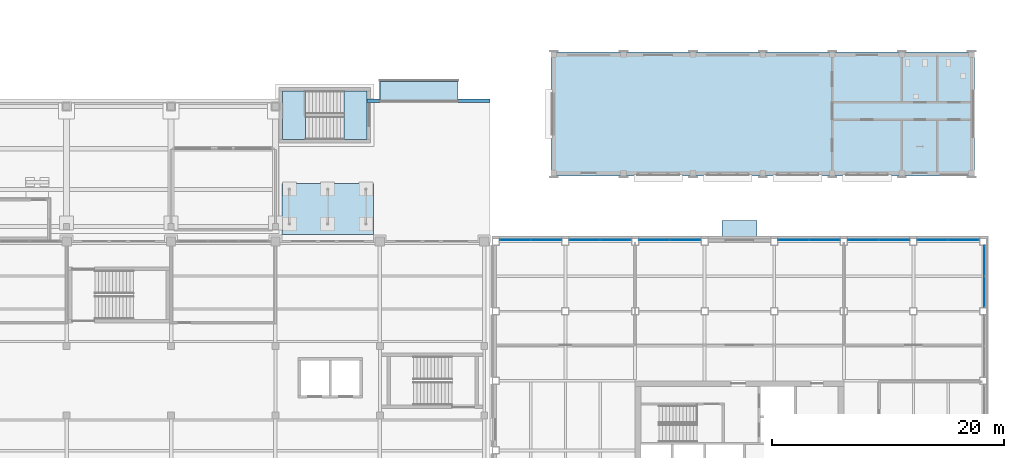
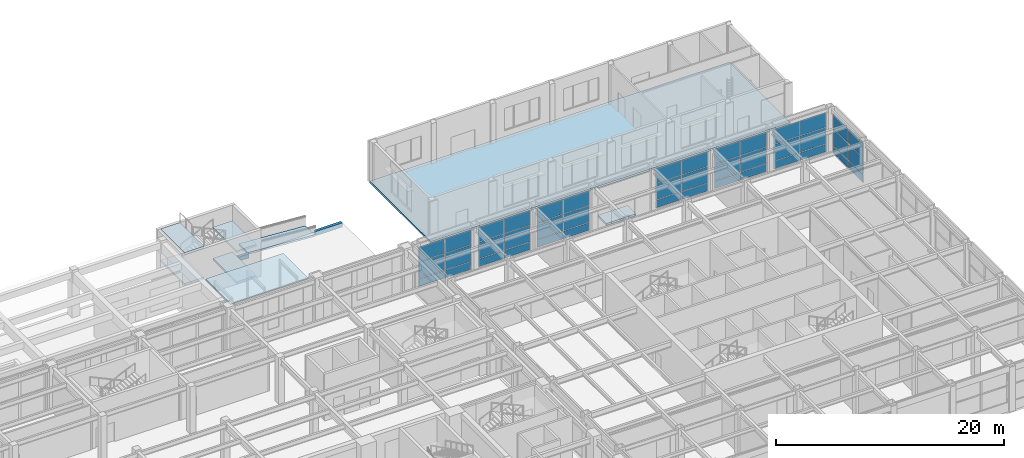
# One storey, part 36 of 77: 42 plates, 10 slabs, 8 elements without a shape of their own.
"""IFC4 building model written with IfcOpenShell, lengths in metres."""

from ifc_helpers import new_model, si_unit, direction, frame, origin, origin_2d, place, context, subcontext, project, spatial, polyline, rectangle, outline, extrude, material, layer, layer_set, type_object, element, aggregate, save


model = new_model("IFC4")

# Units and contexts
model_context = context("Model", 3, precision=1e-05, world=origin(), true_north=direction((0.0, 1.0)))
body_context = subcontext(model_context, "Body", "Model", "MODEL_VIEW")
ifc_project = project(units=[si_unit("LENGTHUNIT", "METRE"), si_unit("AREAUNIT", "SQUARE_METRE"), si_unit("VOLUMEUNIT", "CUBIC_METRE"), si_unit("PLANEANGLEUNIT", "RADIAN"), si_unit("MASSUNIT", "GRAM", prefix="KILO")], contexts=[model_context])

# Site, building, storey
site_placement = place(None, origin())
site = spatial("IfcSite", under=ifc_project, at=site_placement, CompositionType="ELEMENT")
building_placement = place(site_placement, origin())
building = spatial("IfcBuilding", under=site, at=building_placement, Name="Aravalli Gate Trade Fair Centre", CompositionType="ELEMENT")
storey_placement = place(building_placement, origin())
storey = spatial("IfcBuildingStorey", under=building, at=storey_placement, Name="L00", CompositionType="ELEMENT", Elevation=0.0)

# Stair, slabs
ifc_material_1 = material(Name="Concrete M30", Category="concrete")
stair_type = type_object("IfcStairType", Name="Concourse stair, 2000 wide", PredefinedType="HALF_TURN_STAIR", material=ifc_material_1)
stair_placement = place(storey_placement, origin())
stair = element("IfcStair", 1, at=stair_placement, inside=storey, type_object=stair_type, Name="Stair AT L00", PredefinedType="HALF_TURN_STAIR")
ifc_layer_1 = layer(ifc_material_1, 0.199951171875)
ifc_layer_set_1 = layer_set([ifc_layer_1], Name="Concrete M30")
slab_type_1 = type_object("IfcSlabType", Name="Concourse stair landing 200", PredefinedType="LANDING", material=ifc_layer_set_1)
slab_1_placement = place(storey_placement, frame((0.0, 0.0, 1.466796875)))
slab_1 = element("IfcSlab", 2, at=slab_1_placement, type_object=slab_type_1, Name="STAT-L00 landing 1", PredefinedType="LANDING", context=body_context, shape_type="SweptSolid", body=[
    extrude(outline(polyline([(141.60009765625, 141.800048828125), (143.60009765625, 141.800048828125), (143.60009765625, 146.0), (141.60009765625, 146.0), (141.60009765625, 141.800048828125)])), origin(), (0.0, 0.0, 1.0), 0.199951171875),
])
slab_2_placement = place(storey_placement, frame((0.0, 0.0, 3.13330078125)))
slab_2 = element("IfcSlab", 3, at=slab_2_placement, type_object=slab_type_1, Name="STAT-L00 landing 2", PredefinedType="LANDING", context=body_context, shape_type="SweptSolid", body=[
    extrude(outline(polyline([(146.89990234375, 141.800048828125), (148.89990234375, 141.800048828125), (148.89990234375, 146.0), (146.89990234375, 146.0), (146.89990234375, 141.800048828125)])), origin(), (0.0, 0.0, 1.0), 0.199951171875),
])
slab_3_placement = place(storey_placement, frame((0.0, 0.0, 4.800048828125)))
slab_3 = element("IfcSlab", 4, at=slab_3_placement, type_object=slab_type_1, Name="STAT-L00 landing 3", PredefinedType="LANDING", context=body_context, shape_type="SweptSolid", body=[
    extrude(outline(polyline([(141.60009765625, 141.800048828125), (143.60009765625, 141.800048828125), (143.60009765625, 146.0), (141.60009765625, 146.0), (141.60009765625, 141.800048828125)])), origin(), (0.0, 0.0, 1.0), 0.199951171875),
])
slab_4_placement = place(storey_placement, frame((0.0, 0.0, -0.199951171875)))
slab_4 = element("IfcSlab", 5, at=slab_4_placement, type_object=slab_type_1, Name="STAT-L00 landing 4", PredefinedType="LANDING", context=body_context, shape_type="SweptSolid", body=[
    extrude(outline(polyline([(146.89990234375, 141.800048828125), (148.89990234375, 141.800048828125), (148.89990234375, 146.0), (146.89990234375, 146.0), (146.89990234375, 141.800048828125)])), origin(), (0.0, 0.0, 1.0), 0.199951171875),
])
aggregate(stair, [slab_1, slab_2, slab_3, slab_4])

# Slabs
ifc_layer_2 = layer(ifc_material_1, 0.1201171875, Name="Concrete topping")
ifc_material_2 = material(Name="Steel E350", Category="steel")
ifc_layer_3 = layer(ifc_material_2, 0.030029296875, Name="Profiled deck sheet")
ifc_layer_set_2 = layer_set([ifc_layer_2, ifc_layer_3], Name="Entrance canopy roof 150")
slab_type_2 = type_object("IfcSlabType", Name="Entrance canopy roof 150", PredefinedType="ROOF", material=ifc_layer_set_2)
slab_5_placement = place(storey_placement, frame((0.0, 0.0, 4.35009765625)))
element("IfcSlab", 6, at=slab_5_placement, inside=storey, type_object=slab_type_2, Name="Entrance canopy east", PredefinedType="ROOF", context=body_context, shape_type="SweptSolid", body=[
    extrude(outline(polyline([(149.449951171875, 133.60009765625), (149.449951171875, 138.01416015625), (141.550048828125, 138.01416015625), (141.550048828125, 133.60009765625), (149.449951171875, 133.60009765625)])), origin(), (0.0, 0.0, 1.0), 0.14990234375),
])
ifc_material_3 = material(Name="Concrete M40", Category="concrete")
ifc_layer_4 = layer(ifc_material_3, 0.199951171875)
ifc_layer_set_3 = layer_set([ifc_layer_4], Name="Concrete M40")
slab_type_3 = type_object("IfcSlabType", Name="Pavilion ground slab 200", PredefinedType="BASESLAB", material=ifc_layer_set_3)
slab_6_placement = place(storey_placement, frame((0.0, 0.0, -0.199951171875)))
element("IfcSlab", 7, at=slab_6_placement, inside=storey, type_object=slab_type_3, Name="Pavilion ground slab", PredefinedType="BASESLAB", context=body_context, shape_type="SweptSolid", body=[
    extrude(outline(polyline([(164.75, 138.64990234375), (201.25, 138.64990234375), (201.25, 149.35009765625), (164.75, 149.35009765625), (164.75, 138.64990234375)])), origin(), (0.0, 0.0, 1.0), 0.199951171875),
])
ifc_layer_5 = layer(ifc_material_1, 0.39990234375, Name="Structural slab")
ifc_material_4 = material(Name="Dholpur sandstone paving", Category="masonry")
ifc_layer_6 = layer(ifc_material_4, 0.050048828125, Name="Stone paving")
ifc_layer_set_4 = layer_set([ifc_layer_5, ifc_layer_6], Name="Plaza kerb 300")
slab_type_4 = type_object("IfcSlabType", Name="Plaza kerb 300", PredefinedType="USERDEFINED", material=ifc_layer_set_4)
slab_7_placement = place(storey_placement, frame((0.0, 0.0, -0.449951171875)))
element("IfcSlab", 8, at=slab_7_placement, inside=storey, type_object=slab_type_4, Name="Plaza kerb", ObjectType="PAVING", PredefinedType="USERDEFINED", context=body_context, shape_type="SweptSolid", body=[
    extrude(outline(polyline([(150.0, 145.300048828125), (148.89990234375, 145.300048828125), (148.89990234375, 145.0), (150.0, 145.0), (150.0, 145.300048828125)])), origin(), (0.0, 0.0, 1.0), 0.449951171875),
])
slab_8_placement = place(storey_placement, frame((0.0, 0.0, -0.449951171875)))
element("IfcSlab", 9, at=slab_8_placement, inside=storey, type_object=slab_type_4, Name="Plaza kerb", ObjectType="PAVING", PredefinedType="USERDEFINED", context=body_context, shape_type="SweptSolid", body=[
    extrude(outline(polyline([(159.5, 145.300048828125), (156.75, 145.300048828125), (156.75, 145.0), (159.5, 145.0), (159.5, 145.300048828125)])), origin(), (0.0, 0.0, 1.0), 0.449951171875),
])
ifc_layer_7 = layer(ifc_material_1, 0.14990234375, Name="Structural slab")
ifc_layer_8 = layer(ifc_material_4, 0.050048828125, Name="Stone paving")
ifc_layer_set_5 = layer_set([ifc_layer_7, ifc_layer_8], Name="Plaza ramp 200")
slab_type_5 = type_object("IfcSlabType", Name="Plaza ramp 200", PredefinedType="USERDEFINED", material=ifc_layer_set_5)
slab_9_placement = place(storey_placement, frame((150.0, 145.199951171875, 0.0), z_axis=(0.066511824681, 0.0, 0.997785636887), x_axis=(0.0, 1.0, 0.0)))
element("IfcSlab", 10, at=slab_9_placement, inside=storey, type_object=slab_type_5, Name="Plaza ramp 2", ObjectType="PAVING", PredefinedType="USERDEFINED", context=body_context, shape_type="SweptSolid", body=[
    extrude(outline(polyline([(0.0, 0.0), (1.60009765625, 0.0), (1.60009765625, -6.764980122444683), (0.0, -6.764980122444683), (0.0, 0.0)])), origin(), (0.0, 0.0, -1.0), 0.199951171875),
])

# Curtain wall, plates
ifc_material_5 = material(Name="Aluminium and glass", Category="aluminium")
curtain_wall_type = type_object("IfcCurtainWallType", Name="Wing curtain wall", PredefinedType="NOTDEFINED", material=ifc_material_5)
curtain_wall_1_placement = place(storey_placement, origin())
curtain_wall_1 = element("IfcCurtainWall", 11, at=curtain_wall_1_placement, inside=storey, type_object=curtain_wall_type, Name="Curtain wall N0 L00", PredefinedType="NOTDEFINED")
ifc_material_6 = material(Name="Glass", Category="glass")
ifc_layer_9 = layer(ifc_material_6, 0.028076171875)
ifc_layer_set_6 = layer_set([ifc_layer_9], Name="Glass")
plate_type = type_object("IfcPlateType", Name="Wing curtain wall glazing panel 28", PredefinedType="CURTAIN_PANEL", material=ifc_layer_set_6)
plate_1_placement = place(storey_placement, frame((161.6650390625, 133.125, 0.06005859375), z_axis=(0.0, 0.0, 1.0), x_axis=(1.0, 0.0, 0.0)))
plate_1 = element("IfcPlate", 12, at=plate_1_placement, type_object=plate_type, Name="TCW1 panel 1.1", PredefinedType="CURTAIN_PANEL", context=body_context, shape_type="SweptSolid", body=[
    extrude(rectangle(XDim=2.610107421875, YDim=0.028076171875, at=origin_2d()), origin(), (0.0, 0.0, 1.0), 0.81005859375),
])
plate_2_placement = place(storey_placement, frame((161.6650390625, 133.125, 0.93017578125), z_axis=(0.0, 0.0, 1.0), x_axis=(1.0, 0.0, 0.0)))
plate_2 = element("IfcPlate", 13, at=plate_2_placement, type_object=plate_type, Name="TCW1 panel 1.2", PredefinedType="CURTAIN_PANEL", context=body_context, shape_type="SweptSolid", body=[
    extrude(rectangle(XDim=2.610107421875, YDim=0.028076171875, at=origin_2d()), origin(), (0.0, 0.0, 1.0), 1.739990234375),
])
plate_3_placement = place(storey_placement, frame((161.6650390625, 133.125, 2.72998046875), z_axis=(0.0, 0.0, 1.0), x_axis=(1.0, 0.0, 0.0)))
plate_3 = element("IfcPlate", 14, at=plate_3_placement, type_object=plate_type, Name="TCW1 panel 1.3", PredefinedType="CURTAIN_PANEL", context=body_context, shape_type="SweptSolid", body=[
    extrude(rectangle(XDim=2.610107421875, YDim=0.028076171875, at=origin_2d()), origin(), (0.0, 0.0, 1.0), 1.56005859375),
])
plate_4_placement = place(storey_placement, frame((164.3349609375, 133.125, 0.06005859375), z_axis=(0.0, 0.0, 1.0), x_axis=(1.0, 0.0, 0.0)))
plate_4 = element("IfcPlate", 15, at=plate_4_placement, type_object=plate_type, Name="TCW1 panel 2.1", PredefinedType="CURTAIN_PANEL", context=body_context, shape_type="SweptSolid", body=[
    extrude(rectangle(XDim=2.610107421875, YDim=0.028076171875, at=origin_2d()), origin(), (0.0, 0.0, 1.0), 0.81005859375),
])
plate_5_placement = place(storey_placement, frame((164.3349609375, 133.125, 0.93017578125), z_axis=(0.0, 0.0, 1.0), x_axis=(1.0, 0.0, 0.0)))
plate_5 = element("IfcPlate", 16, at=plate_5_placement, type_object=plate_type, Name="TCW1 panel 2.2", PredefinedType="CURTAIN_PANEL", context=body_context, shape_type="SweptSolid", body=[
    extrude(rectangle(XDim=2.610107421875, YDim=0.028076171875, at=origin_2d()), origin(), (0.0, 0.0, 1.0), 1.739990234375),
])
plate_6_placement = place(storey_placement, frame((164.3349609375, 133.125, 2.72998046875), z_axis=(0.0, 0.0, 1.0), x_axis=(1.0, 0.0, 0.0)))
plate_6 = element("IfcPlate", 17, at=plate_6_placement, type_object=plate_type, Name="TCW1 panel 2.3", PredefinedType="CURTAIN_PANEL", context=body_context, shape_type="SweptSolid", body=[
    extrude(rectangle(XDim=2.610107421875, YDim=0.028076171875, at=origin_2d()), origin(), (0.0, 0.0, 1.0), 1.56005859375),
])
aggregate(curtain_wall_1, [plate_1, plate_2, plate_3, plate_4, plate_5, plate_6])

curtain_wall_2_placement = place(storey_placement, origin())
curtain_wall_2 = element("IfcCurtainWall", 18, at=curtain_wall_2_placement, inside=storey, type_object=curtain_wall_type, Name="Curtain wall N1 L00", PredefinedType="NOTDEFINED")
plate_7_placement = place(storey_placement, frame((167.6650390625, 133.125, 0.06005859375), z_axis=(0.0, 0.0, 1.0), x_axis=(1.0, 0.0, 0.0)))
plate_7 = element("IfcPlate", 19, at=plate_7_placement, type_object=plate_type, Name="TCW1 panel 1.1", PredefinedType="CURTAIN_PANEL", context=body_context, shape_type="SweptSolid", body=[
    extrude(rectangle(XDim=2.610107421875, YDim=0.028076171875, at=origin_2d()), origin(), (0.0, 0.0, 1.0), 0.81005859375),
])
plate_8_placement = place(storey_placement, frame((167.6650390625, 133.125, 0.93017578125), z_axis=(0.0, 0.0, 1.0), x_axis=(1.0, 0.0, 0.0)))
plate_8 = element("IfcPlate", 20, at=plate_8_placement, type_object=plate_type, Name="TCW1 panel 1.2", PredefinedType="CURTAIN_PANEL", context=body_context, shape_type="SweptSolid", body=[
    extrude(rectangle(XDim=2.610107421875, YDim=0.028076171875, at=origin_2d()), origin(), (0.0, 0.0, 1.0), 1.739990234375),
])
plate_9_placement = place(storey_placement, frame((167.6650390625, 133.125, 2.72998046875), z_axis=(0.0, 0.0, 1.0), x_axis=(1.0, 0.0, 0.0)))
plate_9 = element("IfcPlate", 21, at=plate_9_placement, type_object=plate_type, Name="TCW1 panel 1.3", PredefinedType="CURTAIN_PANEL", context=body_context, shape_type="SweptSolid", body=[
    extrude(rectangle(XDim=2.610107421875, YDim=0.028076171875, at=origin_2d()), origin(), (0.0, 0.0, 1.0), 1.56005859375),
])
plate_10_placement = place(storey_placement, frame((170.3349609375, 133.125, 0.06005859375), z_axis=(0.0, 0.0, 1.0), x_axis=(1.0, 0.0, 0.0)))
plate_10 = element("IfcPlate", 22, at=plate_10_placement, type_object=plate_type, Name="TCW1 panel 2.1", PredefinedType="CURTAIN_PANEL", context=body_context, shape_type="SweptSolid", body=[
    extrude(rectangle(XDim=2.610107421875, YDim=0.028076171875, at=origin_2d()), origin(), (0.0, 0.0, 1.0), 0.81005859375),
])
plate_11_placement = place(storey_placement, frame((170.3349609375, 133.125, 0.93017578125), z_axis=(0.0, 0.0, 1.0), x_axis=(1.0, 0.0, 0.0)))
plate_11 = element("IfcPlate", 23, at=plate_11_placement, type_object=plate_type, Name="TCW1 panel 2.2", PredefinedType="CURTAIN_PANEL", context=body_context, shape_type="SweptSolid", body=[
    extrude(rectangle(XDim=2.610107421875, YDim=0.028076171875, at=origin_2d()), origin(), (0.0, 0.0, 1.0), 1.739990234375),
])
plate_12_placement = place(storey_placement, frame((170.3349609375, 133.125, 2.72998046875), z_axis=(0.0, 0.0, 1.0), x_axis=(1.0, 0.0, 0.0)))
plate_12 = element("IfcPlate", 24, at=plate_12_placement, type_object=plate_type, Name="TCW1 panel 2.3", PredefinedType="CURTAIN_PANEL", context=body_context, shape_type="SweptSolid", body=[
    extrude(rectangle(XDim=2.610107421875, YDim=0.028076171875, at=origin_2d()), origin(), (0.0, 0.0, 1.0), 1.56005859375),
])
aggregate(curtain_wall_2, [plate_7, plate_8, plate_9, plate_10, plate_11, plate_12])

curtain_wall_3_placement = place(storey_placement, origin())
curtain_wall_3 = element("IfcCurtainWall", 25, at=curtain_wall_3_placement, inside=storey, type_object=curtain_wall_type, Name="Curtain wall N2 L00", PredefinedType="NOTDEFINED")
plate_13_placement = place(storey_placement, frame((173.6650390625, 133.125, 0.06005859375), z_axis=(0.0, 0.0, 1.0), x_axis=(1.0, 0.0, 0.0)))
plate_13 = element("IfcPlate", 26, at=plate_13_placement, type_object=plate_type, Name="TCW1 panel 1.1", PredefinedType="CURTAIN_PANEL", context=body_context, shape_type="SweptSolid", body=[
    extrude(rectangle(XDim=2.610107421875, YDim=0.028076171875, at=origin_2d()), origin(), (0.0, 0.0, 1.0), 0.81005859375),
])
plate_14_placement = place(storey_placement, frame((173.6650390625, 133.125, 0.93017578125), z_axis=(0.0, 0.0, 1.0), x_axis=(1.0, 0.0, 0.0)))
plate_14 = element("IfcPlate", 27, at=plate_14_placement, type_object=plate_type, Name="TCW1 panel 1.2", PredefinedType="CURTAIN_PANEL", context=body_context, shape_type="SweptSolid", body=[
    extrude(rectangle(XDim=2.610107421875, YDim=0.028076171875, at=origin_2d()), origin(), (0.0, 0.0, 1.0), 1.739990234375),
])
plate_15_placement = place(storey_placement, frame((173.6650390625, 133.125, 2.72998046875), z_axis=(0.0, 0.0, 1.0), x_axis=(1.0, 0.0, 0.0)))
plate_15 = element("IfcPlate", 28, at=plate_15_placement, type_object=plate_type, Name="TCW1 panel 1.3", PredefinedType="CURTAIN_PANEL", context=body_context, shape_type="SweptSolid", body=[
    extrude(rectangle(XDim=2.610107421875, YDim=0.028076171875, at=origin_2d()), origin(), (0.0, 0.0, 1.0), 1.56005859375),
])
plate_16_placement = place(storey_placement, frame((176.3349609375, 133.125, 0.06005859375), z_axis=(0.0, 0.0, 1.0), x_axis=(1.0, 0.0, 0.0)))
plate_16 = element("IfcPlate", 29, at=plate_16_placement, type_object=plate_type, Name="TCW1 panel 2.1", PredefinedType="CURTAIN_PANEL", context=body_context, shape_type="SweptSolid", body=[
    extrude(rectangle(XDim=2.610107421875, YDim=0.028076171875, at=origin_2d()), origin(), (0.0, 0.0, 1.0), 0.81005859375),
])
plate_17_placement = place(storey_placement, frame((176.3349609375, 133.125, 0.93017578125), z_axis=(0.0, 0.0, 1.0), x_axis=(1.0, 0.0, 0.0)))
plate_17 = element("IfcPlate", 30, at=plate_17_placement, type_object=plate_type, Name="TCW1 panel 2.2", PredefinedType="CURTAIN_PANEL", context=body_context, shape_type="SweptSolid", body=[
    extrude(rectangle(XDim=2.610107421875, YDim=0.028076171875, at=origin_2d()), origin(), (0.0, 0.0, 1.0), 1.739990234375),
])
plate_18_placement = place(storey_placement, frame((176.3349609375, 133.125, 2.72998046875), z_axis=(0.0, 0.0, 1.0), x_axis=(1.0, 0.0, 0.0)))
plate_18 = element("IfcPlate", 31, at=plate_18_placement, type_object=plate_type, Name="TCW1 panel 2.3", PredefinedType="CURTAIN_PANEL", context=body_context, shape_type="SweptSolid", body=[
    extrude(rectangle(XDim=2.610107421875, YDim=0.028076171875, at=origin_2d()), origin(), (0.0, 0.0, 1.0), 1.56005859375),
])
aggregate(curtain_wall_3, [plate_13, plate_14, plate_15, plate_16, plate_17, plate_18])

curtain_wall_4_placement = place(storey_placement, origin())
curtain_wall_4 = element("IfcCurtainWall", 32, at=curtain_wall_4_placement, inside=storey, type_object=curtain_wall_type, Name="Curtain wall N4 L00", PredefinedType="NOTDEFINED")
plate_19_placement = place(storey_placement, frame((185.6650390625, 133.125, 0.06005859375), z_axis=(0.0, 0.0, 1.0), x_axis=(1.0, 0.0, 0.0)))
plate_19 = element("IfcPlate", 33, at=plate_19_placement, type_object=plate_type, Name="TCW1 panel 1.1", PredefinedType="CURTAIN_PANEL", context=body_context, shape_type="SweptSolid", body=[
    extrude(rectangle(XDim=2.610107421875, YDim=0.028076171875, at=origin_2d()), origin(), (0.0, 0.0, 1.0), 0.81005859375),
])
plate_20_placement = place(storey_placement, frame((185.6650390625, 133.125, 0.93017578125), z_axis=(0.0, 0.0, 1.0), x_axis=(1.0, 0.0, 0.0)))
plate_20 = element("IfcPlate", 34, at=plate_20_placement, type_object=plate_type, Name="TCW1 panel 1.2", PredefinedType="CURTAIN_PANEL", context=body_context, shape_type="SweptSolid", body=[
    extrude(rectangle(XDim=2.610107421875, YDim=0.028076171875, at=origin_2d()), origin(), (0.0, 0.0, 1.0), 1.739990234375),
])
plate_21_placement = place(storey_placement, frame((185.6650390625, 133.125, 2.72998046875), z_axis=(0.0, 0.0, 1.0), x_axis=(1.0, 0.0, 0.0)))
plate_21 = element("IfcPlate", 35, at=plate_21_placement, type_object=plate_type, Name="TCW1 panel 1.3", PredefinedType="CURTAIN_PANEL", context=body_context, shape_type="SweptSolid", body=[
    extrude(rectangle(XDim=2.610107421875, YDim=0.028076171875, at=origin_2d()), origin(), (0.0, 0.0, 1.0), 1.56005859375),
])
plate_22_placement = place(storey_placement, frame((188.3349609375, 133.125, 0.06005859375), z_axis=(0.0, 0.0, 1.0), x_axis=(1.0, 0.0, 0.0)))
plate_22 = element("IfcPlate", 36, at=plate_22_placement, type_object=plate_type, Name="TCW1 panel 2.1", PredefinedType="CURTAIN_PANEL", context=body_context, shape_type="SweptSolid", body=[
    extrude(rectangle(XDim=2.610107421875, YDim=0.028076171875, at=origin_2d()), origin(), (0.0, 0.0, 1.0), 0.81005859375),
])
plate_23_placement = place(storey_placement, frame((188.3349609375, 133.125, 0.93017578125), z_axis=(0.0, 0.0, 1.0), x_axis=(1.0, 0.0, 0.0)))
plate_23 = element("IfcPlate", 37, at=plate_23_placement, type_object=plate_type, Name="TCW1 panel 2.2", PredefinedType="CURTAIN_PANEL", context=body_context, shape_type="SweptSolid", body=[
    extrude(rectangle(XDim=2.610107421875, YDim=0.028076171875, at=origin_2d()), origin(), (0.0, 0.0, 1.0), 1.739990234375),
])
plate_24_placement = place(storey_placement, frame((188.3349609375, 133.125, 2.72998046875), z_axis=(0.0, 0.0, 1.0), x_axis=(1.0, 0.0, 0.0)))
plate_24 = element("IfcPlate", 38, at=plate_24_placement, type_object=plate_type, Name="TCW1 panel 2.3", PredefinedType="CURTAIN_PANEL", context=body_context, shape_type="SweptSolid", body=[
    extrude(rectangle(XDim=2.610107421875, YDim=0.028076171875, at=origin_2d()), origin(), (0.0, 0.0, 1.0), 1.56005859375),
])
aggregate(curtain_wall_4, [plate_19, plate_20, plate_21, plate_22, plate_23, plate_24])

curtain_wall_5_placement = place(storey_placement, origin())
curtain_wall_5 = element("IfcCurtainWall", 39, at=curtain_wall_5_placement, inside=storey, type_object=curtain_wall_type, Name="Curtain wall N5 L00", PredefinedType="NOTDEFINED")
plate_25_placement = place(storey_placement, frame((191.6650390625, 133.125, 0.06005859375), z_axis=(0.0, 0.0, 1.0), x_axis=(1.0, 0.0, 0.0)))
plate_25 = element("IfcPlate", 40, at=plate_25_placement, type_object=plate_type, Name="TCW1 panel 1.1", PredefinedType="CURTAIN_PANEL", context=body_context, shape_type="SweptSolid", body=[
    extrude(rectangle(XDim=2.610107421875, YDim=0.028076171875, at=origin_2d()), origin(), (0.0, 0.0, 1.0), 0.81005859375),
])
plate_26_placement = place(storey_placement, frame((191.6650390625, 133.125, 0.93017578125), z_axis=(0.0, 0.0, 1.0), x_axis=(1.0, 0.0, 0.0)))
plate_26 = element("IfcPlate", 41, at=plate_26_placement, type_object=plate_type, Name="TCW1 panel 1.2", PredefinedType="CURTAIN_PANEL", context=body_context, shape_type="SweptSolid", body=[
    extrude(rectangle(XDim=2.610107421875, YDim=0.028076171875, at=origin_2d()), origin(), (0.0, 0.0, 1.0), 1.739990234375),
])
plate_27_placement = place(storey_placement, frame((191.6650390625, 133.125, 2.72998046875), z_axis=(0.0, 0.0, 1.0), x_axis=(1.0, 0.0, 0.0)))
plate_27 = element("IfcPlate", 42, at=plate_27_placement, type_object=plate_type, Name="TCW1 panel 1.3", PredefinedType="CURTAIN_PANEL", context=body_context, shape_type="SweptSolid", body=[
    extrude(rectangle(XDim=2.610107421875, YDim=0.028076171875, at=origin_2d()), origin(), (0.0, 0.0, 1.0), 1.56005859375),
])
plate_28_placement = place(storey_placement, frame((194.3349609375, 133.125, 0.06005859375), z_axis=(0.0, 0.0, 1.0), x_axis=(1.0, 0.0, 0.0)))
plate_28 = element("IfcPlate", 43, at=plate_28_placement, type_object=plate_type, Name="TCW1 panel 2.1", PredefinedType="CURTAIN_PANEL", context=body_context, shape_type="SweptSolid", body=[
    extrude(rectangle(XDim=2.610107421875, YDim=0.028076171875, at=origin_2d()), origin(), (0.0, 0.0, 1.0), 0.81005859375),
])
plate_29_placement = place(storey_placement, frame((194.3349609375, 133.125, 0.93017578125), z_axis=(0.0, 0.0, 1.0), x_axis=(1.0, 0.0, 0.0)))
plate_29 = element("IfcPlate", 44, at=plate_29_placement, type_object=plate_type, Name="TCW1 panel 2.2", PredefinedType="CURTAIN_PANEL", context=body_context, shape_type="SweptSolid", body=[
    extrude(rectangle(XDim=2.610107421875, YDim=0.028076171875, at=origin_2d()), origin(), (0.0, 0.0, 1.0), 1.739990234375),
])
plate_30_placement = place(storey_placement, frame((194.3349609375, 133.125, 2.72998046875), z_axis=(0.0, 0.0, 1.0), x_axis=(1.0, 0.0, 0.0)))
plate_30 = element("IfcPlate", 45, at=plate_30_placement, type_object=plate_type, Name="TCW1 panel 2.3", PredefinedType="CURTAIN_PANEL", context=body_context, shape_type="SweptSolid", body=[
    extrude(rectangle(XDim=2.610107421875, YDim=0.028076171875, at=origin_2d()), origin(), (0.0, 0.0, 1.0), 1.56005859375),
])
aggregate(curtain_wall_5, [plate_25, plate_26, plate_27, plate_28, plate_29, plate_30])

curtain_wall_6_placement = place(storey_placement, origin())
curtain_wall_6 = element("IfcCurtainWall", 46, at=curtain_wall_6_placement, inside=storey, type_object=curtain_wall_type, Name="Curtain wall N6 L00", PredefinedType="NOTDEFINED")
plate_31_placement = place(storey_placement, frame((197.6650390625, 133.125, 0.06005859375), z_axis=(0.0, 0.0, 1.0), x_axis=(1.0, 0.0, 0.0)))
plate_31 = element("IfcPlate", 47, at=plate_31_placement, type_object=plate_type, Name="TCW1 panel 1.1", PredefinedType="CURTAIN_PANEL", context=body_context, shape_type="SweptSolid", body=[
    extrude(rectangle(XDim=2.610107421875, YDim=0.028076171875, at=origin_2d()), origin(), (0.0, 0.0, 1.0), 0.81005859375),
])
plate_32_placement = place(storey_placement, frame((197.6650390625, 133.125, 0.93017578125), z_axis=(0.0, 0.0, 1.0), x_axis=(1.0, 0.0, 0.0)))
plate_32 = element("IfcPlate", 48, at=plate_32_placement, type_object=plate_type, Name="TCW1 panel 1.2", PredefinedType="CURTAIN_PANEL", context=body_context, shape_type="SweptSolid", body=[
    extrude(rectangle(XDim=2.610107421875, YDim=0.028076171875, at=origin_2d()), origin(), (0.0, 0.0, 1.0), 1.739990234375),
])
plate_33_placement = place(storey_placement, frame((197.6650390625, 133.125, 2.72998046875), z_axis=(0.0, 0.0, 1.0), x_axis=(1.0, 0.0, 0.0)))
plate_33 = element("IfcPlate", 49, at=plate_33_placement, type_object=plate_type, Name="TCW1 panel 1.3", PredefinedType="CURTAIN_PANEL", context=body_context, shape_type="SweptSolid", body=[
    extrude(rectangle(XDim=2.610107421875, YDim=0.028076171875, at=origin_2d()), origin(), (0.0, 0.0, 1.0), 1.56005859375),
])
plate_34_placement = place(storey_placement, frame((200.3349609375, 133.125, 0.06005859375), z_axis=(0.0, 0.0, 1.0), x_axis=(1.0, 0.0, 0.0)))
plate_34 = element("IfcPlate", 50, at=plate_34_placement, type_object=plate_type, Name="TCW1 panel 2.1", PredefinedType="CURTAIN_PANEL", context=body_context, shape_type="SweptSolid", body=[
    extrude(rectangle(XDim=2.610107421875, YDim=0.028076171875, at=origin_2d()), origin(), (0.0, 0.0, 1.0), 0.81005859375),
])
plate_35_placement = place(storey_placement, frame((200.3349609375, 133.125, 0.93017578125), z_axis=(0.0, 0.0, 1.0), x_axis=(1.0, 0.0, 0.0)))
plate_35 = element("IfcPlate", 51, at=plate_35_placement, type_object=plate_type, Name="TCW1 panel 2.2", PredefinedType="CURTAIN_PANEL", context=body_context, shape_type="SweptSolid", body=[
    extrude(rectangle(XDim=2.610107421875, YDim=0.028076171875, at=origin_2d()), origin(), (0.0, 0.0, 1.0), 1.739990234375),
])
plate_36_placement = place(storey_placement, frame((200.3349609375, 133.125, 2.72998046875), z_axis=(0.0, 0.0, 1.0), x_axis=(1.0, 0.0, 0.0)))
plate_36 = element("IfcPlate", 52, at=plate_36_placement, type_object=plate_type, Name="TCW1 panel 2.3", PredefinedType="CURTAIN_PANEL", context=body_context, shape_type="SweptSolid", body=[
    extrude(rectangle(XDim=2.610107421875, YDim=0.028076171875, at=origin_2d()), origin(), (0.0, 0.0, 1.0), 1.56005859375),
])
aggregate(curtain_wall_6, [plate_31, plate_32, plate_33, plate_34, plate_35, plate_36])

curtain_wall_7_placement = place(storey_placement, origin())
curtain_wall_7 = element("IfcCurtainWall", 53, at=curtain_wall_7_placement, inside=storey, type_object=curtain_wall_type, Name="Curtain wall E6 L00", PredefinedType="NOTDEFINED")
plate_37_placement = place(storey_placement, frame((202.125, 128.6650390625, 0.06005859375), z_axis=(0.0, 0.0, 1.0), x_axis=(0.0, 1.0, 0.0)))
plate_37 = element("IfcPlate", 54, at=plate_37_placement, type_object=plate_type, Name="TCW1 panel 1.1", PredefinedType="CURTAIN_PANEL", context=body_context, shape_type="SweptSolid", body=[
    extrude(rectangle(XDim=2.610107421875, YDim=0.028076171875, at=origin_2d()), origin(), (0.0, 0.0, 1.0), 0.81005859375),
])
plate_38_placement = place(storey_placement, frame((202.125, 128.6650390625, 0.93017578125), z_axis=(0.0, 0.0, 1.0), x_axis=(0.0, 1.0, 0.0)))
plate_38 = element("IfcPlate", 55, at=plate_38_placement, type_object=plate_type, Name="TCW1 panel 1.2", PredefinedType="CURTAIN_PANEL", context=body_context, shape_type="SweptSolid", body=[
    extrude(rectangle(XDim=2.610107421875, YDim=0.028076171875, at=origin_2d()), origin(), (0.0, 0.0, 1.0), 1.739990234375),
])
plate_39_placement = place(storey_placement, frame((202.125, 128.6650390625, 2.72998046875), z_axis=(0.0, 0.0, 1.0), x_axis=(0.0, 1.0, 0.0)))
plate_39 = element("IfcPlate", 56, at=plate_39_placement, type_object=plate_type, Name="TCW1 panel 1.3", PredefinedType="CURTAIN_PANEL", context=body_context, shape_type="SweptSolid", body=[
    extrude(rectangle(XDim=2.610107421875, YDim=0.028076171875, at=origin_2d()), origin(), (0.0, 0.0, 1.0), 1.56005859375),
])
plate_40_placement = place(storey_placement, frame((202.125, 131.3349609375, 0.06005859375), z_axis=(0.0, 0.0, 1.0), x_axis=(0.0, 1.0, 0.0)))
plate_40 = element("IfcPlate", 57, at=plate_40_placement, type_object=plate_type, Name="TCW1 panel 2.1", PredefinedType="CURTAIN_PANEL", context=body_context, shape_type="SweptSolid", body=[
    extrude(rectangle(XDim=2.610107421875, YDim=0.028076171875, at=origin_2d()), origin(), (0.0, 0.0, 1.0), 0.81005859375),
])
plate_41_placement = place(storey_placement, frame((202.125, 131.3349609375, 0.93017578125), z_axis=(0.0, 0.0, 1.0), x_axis=(0.0, 1.0, 0.0)))
plate_41 = element("IfcPlate", 58, at=plate_41_placement, type_object=plate_type, Name="TCW1 panel 2.2", PredefinedType="CURTAIN_PANEL", context=body_context, shape_type="SweptSolid", body=[
    extrude(rectangle(XDim=2.610107421875, YDim=0.028076171875, at=origin_2d()), origin(), (0.0, 0.0, 1.0), 1.739990234375),
])
plate_42_placement = place(storey_placement, frame((202.125, 131.3349609375, 2.72998046875), z_axis=(0.0, 0.0, 1.0), x_axis=(0.0, 1.0, 0.0)))
plate_42 = element("IfcPlate", 59, at=plate_42_placement, type_object=plate_type, Name="TCW1 panel 2.3", PredefinedType="CURTAIN_PANEL", context=body_context, shape_type="SweptSolid", body=[
    extrude(rectangle(XDim=2.610107421875, YDim=0.028076171875, at=origin_2d()), origin(), (0.0, 0.0, 1.0), 1.56005859375),
])
aggregate(curtain_wall_7, [plate_37, plate_38, plate_39, plate_40, plate_41, plate_42])

# Slab
ifc_layer_10 = layer(ifc_material_1, 0.199951171875)
ifc_layer_set_7 = layer_set([ifc_layer_10], Name="Concrete M30")
slab_type_6 = type_object("IfcSlabType", Name="Wing entrance paving 200", PredefinedType="USERDEFINED", material=ifc_layer_set_7)
slab_10_placement = place(storey_placement, frame((0.0, 0.0, -0.199951171875)))
element("IfcSlab", 60, at=slab_10_placement, inside=storey, type_object=slab_type_6, Name="Entrance paving T-L00-184", ObjectType="PAVING", PredefinedType="USERDEFINED", context=body_context, shape_type="SweptSolid", body=[
    extrude(outline(polyline([(179.5, 133.304931640625), (182.5, 133.304931640625), (182.5, 134.804931640625), (179.5, 134.804931640625), (179.5, 133.304931640625)])), origin(), (0.0, 0.0, 1.0), 0.199951171875),
])

save(model, "model.ifc")
